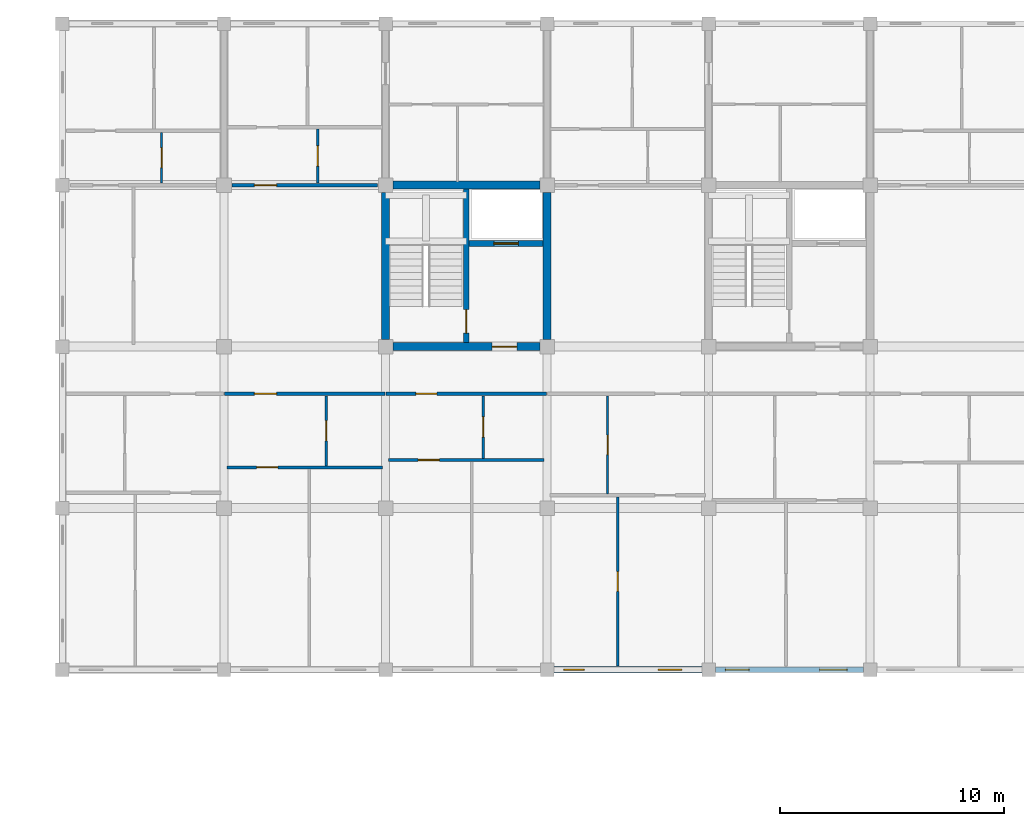
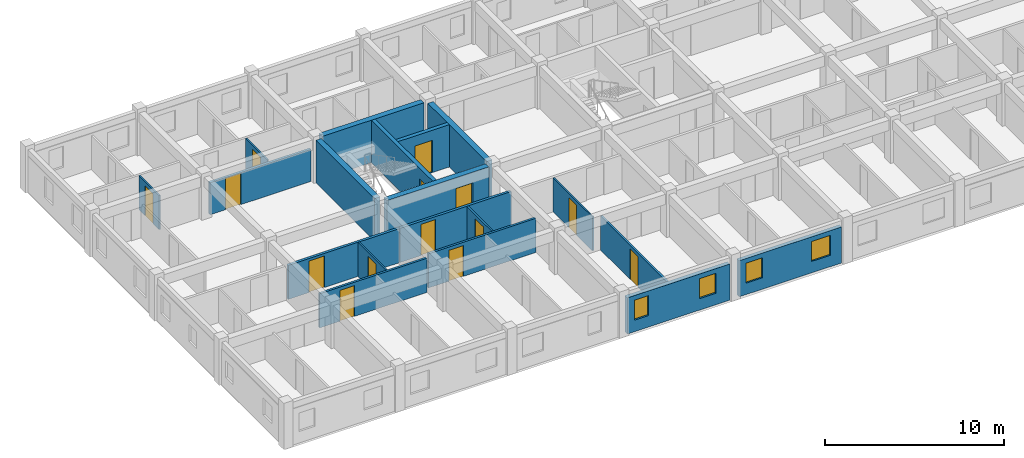
# One storey, part 35 of 50: 19 walls, 14 doors, 4 windows, 18 openings.
"""IFC4 building model written with IfcOpenShell, lengths in metres."""

from ifc_helpers import new_model, si_unit, direction, frame, frame_2d, origin, place, context, subcontext, project, spatial, rectangle, extrude, material, layer, layer_set, type_object, element, fill, save


model = new_model("IFC4")

# Units and contexts
model_context = context("Model", 3, precision=1e-05, world=origin(), true_north=direction((0.0, 1.0)))
body_context = subcontext(model_context, "Body", "Model", "MODEL_VIEW")
ifc_project = project(units=[si_unit("LENGTHUNIT", "METRE"), si_unit("AREAUNIT", "SQUARE_METRE"), si_unit("VOLUMEUNIT", "CUBIC_METRE"), si_unit("PLANEANGLEUNIT", "RADIAN"), si_unit("MASSUNIT", "GRAM", prefix="KILO"), si_unit("THERMODYNAMICTEMPERATUREUNIT", "KELVIN"), si_unit("POWERUNIT", "WATT")], contexts=[model_context])

# Site, building, storey
site_placement = place(None, origin())
site = spatial("IfcSite", under=ifc_project, at=site_placement, CompositionType="ELEMENT")
building_placement = place(site_placement, origin())
building = spatial("IfcBuilding", under=site, at=building_placement, Name="Tavuni Mirador Residences", CompositionType="ELEMENT")
storey_placement = place(building_placement, frame((0.0, 0.0, 4.5)))
storey = spatial("IfcBuildingStorey", under=building, at=storey_placement, Name="L01", CompositionType="ELEMENT", Elevation=4.5)

# Wall, opening, door
ifc_material_1 = material(Name="Precast concrete C40/50", Category="concrete")
ifc_layer_1 = layer(ifc_material_1, 0.25, Name="Precast concrete C40/50", Category="concrete")
ifc_layer_set_1 = layer_set([ifc_layer_1], Name="Precast concrete C40/50")
wall_type_1 = type_object("IfcWallType", Name="WT-COR250", PredefinedType="SHEAR", material=ifc_layer_set_1)
wall_1_placement = place(storey_placement, frame((28.800048828125, 158.580078125, 0.0), z_axis=(0.0, 0.0, 1.0), x_axis=(0.0, 1.0, 0.0)))
wall_1 = element("IfcWall", 1, at=wall_1_placement, inside=storey, type_object=wall_type_1, Name="CWALL-C5-L01-MID", PredefinedType="SHEAR", context=body_context, shape_type="SweptSolid", body=[
    extrude(rectangle(XDim=6.83984375, YDim=0.25, at=frame_2d((3.419921875, 0.0))), origin(), (0.0, 0.0, 1.0), 2.885009765625),
])
opening_1_placement = place(wall_1_placement, frame((0.419921875, 0.0, 0.0)))
opening_1 = element("IfcOpeningElement", 2, at=opening_1_placement, cuts=wall_1, Name="Opening D-01", PredefinedType="OPENING", context=body_context, shape_type="SweptSolid", body=[
    extrude(rectangle(XDim=1.050048828125, YDim=2.14990234375, at=frame_2d((0.52490234375, 1.074951171875))), frame((0.0, 0.135009765625, 0.0), z_axis=(0.0, -1.0, 0.0), x_axis=(1.0, 0.0, 0.0)), (0.0, 0.0, 1.0), 0.27001953125),
])
ifc_material_2 = material(Name="Solid core iroko timber", Category="wood")
door_type_1 = type_object("IfcDoorType", Name="DT-ST1050", OperationType="NOTDEFINED", PredefinedType="DOOR", material=ifc_material_2)
door_1_placement = place(opening_1_placement, origin())
door_1 = element("IfcDoor", 3, at=door_1_placement, inside=storey, type_object=door_type_1, Name="DR-2178", OperationType="SINGLE_SWING_RIGHT", OverallHeight=2.14990234375, OverallWidth=1.050048828125, PredefinedType="DOOR", context=body_context, shape_type="SweptSolid", body=[
    extrude(rectangle(XDim=1.050048828125, YDim=2.14990234375, at=frame_2d((0.52490234375, 1.074951171875))), frame((0.0, 0.02490234375, 0.0), z_axis=(0.0, -1.0, 0.0), x_axis=(1.0, 0.0, 0.0)), (0.0, 0.0, 1.0), 0.050048828125),
])
fill(opening_1, door_1)

wall_2_placement = place(storey_placement, frame((28.925048828125, 163.0, 0.0), z_axis=(0.0, 0.0, 1.0), x_axis=(1.0, 0.0, 0.0)))
wall_2 = element("IfcWall", 4, at=wall_2_placement, inside=storey, type_object=wall_type_1, Name="CWALL-C5-L01-SHF", PredefinedType="SHEAR", context=body_context, shape_type="SweptSolid", body=[
    extrude(rectangle(XDim=3.294921875, YDim=0.25, at=frame_2d((1.6474609375, 0.0))), origin(), (0.0, 0.0, 1.0), 2.885009765625),
])
opening_2_placement = place(wall_2_placement, frame((1.10009765625, 0.0, 0.0)))
opening_2 = element("IfcOpeningElement", 5, at=opening_2_placement, cuts=wall_2, Name="Opening LD-01", PredefinedType="OPENING", context=body_context, shape_type="SweptSolid", body=[
    extrude(rectangle(XDim=1.10009765625, YDim=2.199951171875, at=frame_2d((0.550048828125, 1.10009765625))), frame((0.0, 0.135009765625, 0.0), z_axis=(0.0, -1.0, 0.0), x_axis=(1.0, 0.0, 0.0)), (0.0, 0.0, 1.0), 0.27001953125),
])
ifc_material_3 = material(Name="Structural steel S355", Category="steel")
door_type_2 = type_object("IfcDoorType", Name="DT-LD-FF", OperationType="SLIDING_TO_LEFT", PredefinedType="DOOR", material=ifc_material_3)
door_2_placement = place(opening_2_placement, origin())
door_2 = element("IfcDoor", 6, at=door_2_placement, inside=storey, type_object=door_type_2, Name="Lift landing door FL-C1 L01", OperationType="SLIDING_TO_LEFT", OverallHeight=2.199951171875, OverallWidth=1.10009765625, PredefinedType="DOOR", context=body_context, shape_type="SweptSolid", body=[
    extrude(rectangle(XDim=1.10009765625, YDim=2.199951171875, at=frame_2d((0.550048828125, 1.10009765625))), frame((0.0, 0.02490234375, 0.0), z_axis=(0.0, -1.0, 0.0), x_axis=(1.0, 0.0, 0.0)), (0.0, 0.0, 1.0), 0.050048828125),
])
fill(opening_2, door_2)

# Walls
ifc_layer_2 = layer(ifc_material_1, 0.360107421875, Name="Precast concrete C40/50", Category="concrete")
ifc_layer_set_2 = layer_set([ifc_layer_2], Name="Precast concrete C40/50")
wall_type_2 = type_object("IfcWallType", Name="WT-COR360", PredefinedType="SHEAR", material=ifc_layer_set_2)
wall_3_placement = place(storey_placement, frame((25.199951171875, 158.72509765625, 0.0), z_axis=(0.0, 0.0, 1.0), x_axis=(0.0, 1.0, 0.0)))
element("IfcWall", 7, at=wall_3_placement, inside=storey, type_object=wall_type_2, Name="CWALL-C5-L01-W", PredefinedType="SHEAR", context=body_context, shape_type="SweptSolid", body=[
    extrude(rectangle(XDim=6.5498046875, YDim=0.360107421875, at=frame_2d((3.27490234375, 0.0))), origin(), (0.0, 0.0, 1.0), 2.885009765625),
])
wall_4_placement = place(storey_placement, frame((25.52490234375, 165.60009765625, 0.0), z_axis=(0.0, 0.0, 1.0), x_axis=(1.0, 0.0, 0.0)))
element("IfcWall", 8, at=wall_4_placement, inside=storey, type_object=wall_type_2, Name="CWALL-C5-L01-N", PredefinedType="SHEAR", context=body_context, shape_type="SweptSolid", body=[
    extrude(rectangle(XDim=6.550048828125, YDim=0.360107421875, at=frame_2d((3.27490234375, 0.0))), origin(), (0.0, 0.0, 1.0), 2.885009765625),
])
wall_5_placement = place(storey_placement, frame((32.39990234375, 158.72509765625, 0.0), z_axis=(0.0, 0.0, 1.0), x_axis=(0.0, 1.0, 0.0)))
element("IfcWall", 9, at=wall_5_placement, inside=storey, type_object=wall_type_2, Name="CWALL-C5-L01-E", PredefinedType="SHEAR", context=body_context, shape_type="SweptSolid", body=[
    extrude(rectangle(XDim=6.5498046875, YDim=0.360107421875, at=frame_2d((3.27490234375, 0.0))), origin(), (0.0, 0.0, 1.0), 2.885009765625),
])

# Wall, opening, door
wall_6_placement = place(storey_placement, frame((25.52490234375, 158.39990234375, 0.0), z_axis=(0.0, 0.0, 1.0), x_axis=(1.0, 0.0, 0.0)))
wall_6 = element("IfcWall", 10, at=wall_6_placement, inside=storey, type_object=wall_type_2, Name="CWALL-C5-L01-SS", PredefinedType="SHEAR", context=body_context, shape_type="SweptSolid", body=[
    extrude(rectangle(XDim=6.550048828125, YDim=0.360107421875, at=frame_2d((3.27490234375, 0.0))), origin(), (0.0, 0.0, 1.0), 2.885009765625),
])
opening_3_placement = place(wall_6_placement, frame((4.425048828125, 0.0, 0.0)))
opening_3 = element("IfcOpeningElement", 11, at=opening_3_placement, cuts=wall_6, Name="Opening D-02", PredefinedType="OPENING", context=body_context, shape_type="SweptSolid", body=[
    extrude(rectangle(XDim=1.10009765625, YDim=2.14990234375, at=frame_2d((0.550048828125, 1.074951171875))), frame((0.0, 0.18994140625, 0.0), z_axis=(0.0, -1.0, 0.0), x_axis=(1.0, 0.0, 0.0)), (0.0, 0.0, 1.0), 0.380126953125),
])
door_type_3 = type_object("IfcDoorType", Name="DT-LOB1100", OperationType="NOTDEFINED", PredefinedType="DOOR", material=ifc_material_2)
door_3_placement = place(opening_3_placement, frame((1.10009765625, 0.0, 0.0), z_axis=(0.0, 0.0, 1.0), x_axis=(-1.0, 0.0, 0.0)))
door_3 = element("IfcDoor", 12, at=door_3_placement, inside=storey, type_object=door_type_3, Name="DR-2177", OperationType="SINGLE_SWING_LEFT", OverallHeight=2.14990234375, OverallWidth=1.10009765625, PredefinedType="DOOR", context=body_context, shape_type="SweptSolid", body=[
    extrude(rectangle(XDim=1.10009765625, YDim=2.14990234375, at=frame_2d((0.550048828125, 1.074951171875))), frame((0.0, 0.02490234375, 0.0), z_axis=(0.0, -1.0, 0.0), x_axis=(1.0, 0.0, 0.0)), (0.0, 0.0, 1.0), 0.050048828125),
])
fill(opening_3, door_3)

ifc_layer_3 = layer(ifc_material_1, 0.1650390625, Name="Precast concrete C40/50", Category="concrete")
ifc_layer_set_3 = layer_set([ifc_layer_3], Name="Precast concrete C40/50")
wall_type_3 = type_object("IfcWallType", Name="WT-CORR165", PredefinedType="PARTITIONING", material=ifc_layer_set_3)
wall_7_placement = place(storey_placement, frame((18.02001953125, 156.300048828125, 0.0), z_axis=(0.0, 0.0, 1.0), x_axis=(1.0, 0.0, 0.0)))
wall_7 = element("IfcWall", 13, at=wall_7_placement, inside=storey, type_object=wall_type_3, Name="CORW-BLK-C-L01-0-01", PredefinedType="PARTITIONING", context=body_context, shape_type="SweptSolid", body=[
    extrude(rectangle(XDim=7.159912109375, YDim=0.1650390625, at=frame_2d((3.580078125, 0.0))), origin(), (0.0, 0.0, 1.0), 2.320068359375),
])
opening_4_placement = place(wall_7_placement, frame((1.330078125, 0.0, 0.0)))
opening_4 = element("IfcOpeningElement", 14, at=opening_4_placement, cuts=wall_7, Name="Opening D-03", PredefinedType="OPENING", context=body_context, shape_type="SweptSolid", body=[
    extrude(rectangle(XDim=1.0, YDim=2.14990234375, at=frame_2d((0.5, 1.074951171875))), frame((0.0, 0.092529296875, 0.0), z_axis=(0.0, -1.0, 0.0), x_axis=(1.0, 0.0, 0.0)), (0.0, 0.0, 1.0), 0.18505859375),
])
door_type_4 = type_object("IfcDoorType", Name="DT-FD60-1000", OperationType="NOTDEFINED", PredefinedType="DOOR", material=ifc_material_2)
door_4_placement = place(opening_4_placement, origin())
door_4 = element("IfcDoor", 15, at=door_4_placement, inside=storey, type_object=door_type_4, Name="DR-2628", OperationType="SINGLE_SWING_LEFT", OverallHeight=2.14990234375, OverallWidth=1.0, PredefinedType="DOOR", context=body_context, shape_type="SweptSolid", body=[
    extrude(rectangle(XDim=1.0, YDim=2.14990234375, at=frame_2d((0.5, 1.074951171875))), frame((0.0, 0.02490234375, 0.0), z_axis=(0.0, -1.0, 0.0), x_axis=(1.0, 0.0, 0.0)), (0.0, 0.0, 1.0), 0.050048828125),
])
fill(opening_4, door_4)

wall_8_placement = place(storey_placement, frame((25.219970703125, 156.300048828125, 0.0), z_axis=(0.0, 0.0, 1.0), x_axis=(1.0, 0.0, 0.0)))
wall_8 = element("IfcWall", 16, at=wall_8_placement, inside=storey, type_object=wall_type_3, Name="CORW-BLK-C-L01-0-02", PredefinedType="PARTITIONING", context=body_context, shape_type="SweptSolid", body=[
    extrude(rectangle(XDim=7.159912109375, YDim=0.1650390625, at=frame_2d((3.580078125, 0.0))), origin(), (0.0, 0.0, 1.0), 2.320068359375),
])
opening_5_placement = place(wall_8_placement, frame((1.330078125, 0.0, 0.0)))
opening_5 = element("IfcOpeningElement", 17, at=opening_5_placement, cuts=wall_8, Name="Opening D-19", PredefinedType="OPENING", context=body_context, shape_type="SweptSolid", body=[
    extrude(rectangle(XDim=0.93994140625, YDim=2.1201171875, at=frame_2d((0.469970703125, 1.06005859375))), frame((0.0, 0.092529296875, 0.0), z_axis=(0.0, -1.0, 0.0), x_axis=(1.0, 0.0, 0.0)), (0.0, 0.0, 1.0), 0.18505859375),
])
door_type_5 = type_object("IfcDoorType", Name="DT-FD60-940", OperationType="NOTDEFINED", PredefinedType="DOOR", material=ifc_material_2)
door_5_placement = place(opening_5_placement, origin())
door_5 = element("IfcDoor", 18, at=door_5_placement, inside=storey, type_object=door_type_5, Name="DR-2629", OperationType="SINGLE_SWING_RIGHT", OverallHeight=2.1201171875, OverallWidth=0.93994140625, PredefinedType="DOOR", context=body_context, shape_type="SweptSolid", body=[
    extrude(rectangle(XDim=0.93994140625, YDim=2.1201171875, at=frame_2d((0.469970703125, 1.06005859375))), frame((0.0, 0.02490234375, 0.0), z_axis=(0.0, -1.0, 0.0), x_axis=(1.0, 0.0, 0.0)), (0.0, 0.0, 1.0), 0.050048828125),
])
fill(opening_5, door_5)

wall_9_placement = place(storey_placement, frame((18.35009765625, 165.60009765625, 0.0), z_axis=(0.0, 0.0, 1.0), x_axis=(1.0, 0.0, 0.0)))
wall_9 = element("IfcWall", 19, at=wall_9_placement, inside=storey, type_object=wall_type_3, Name="CORW-BLK-C-L01-1-01", PredefinedType="PARTITIONING", context=body_context, shape_type="SweptSolid", body=[
    extrude(rectangle(XDim=6.5, YDim=0.1650390625, at=frame_2d((3.25, 0.0))), origin(), (0.0, 0.0, 1.0), 2.18505859375),
])
opening_6_placement = place(wall_9_placement, frame((1.0, 0.0, 0.0)))
opening_6 = element("IfcOpeningElement", 20, at=opening_6_placement, cuts=wall_9, Name="Opening D-03", PredefinedType="OPENING", context=body_context, shape_type="SweptSolid", body=[
    extrude(rectangle(XDim=1.0, YDim=2.14990234375, at=frame_2d((0.5, 1.074951171875))), frame((0.0, 0.092529296875, 0.0), z_axis=(0.0, -1.0, 0.0), x_axis=(1.0, 0.0, 0.0)), (0.0, 0.0, 1.0), 0.18505859375),
])
door_6_placement = place(opening_6_placement, origin())
door_6 = element("IfcDoor", 21, at=door_6_placement, inside=storey, type_object=door_type_4, Name="DR-2637", OperationType="SINGLE_SWING_RIGHT", OverallHeight=2.14990234375, OverallWidth=1.0, PredefinedType="DOOR", context=body_context, shape_type="SweptSolid", body=[
    extrude(rectangle(XDim=1.0, YDim=2.14990234375, at=frame_2d((0.5, 1.074951171875))), frame((0.0, 0.02490234375, 0.0), z_axis=(0.0, -1.0, 0.0), x_axis=(1.0, 0.0, 0.0)), (0.0, 0.0, 1.0), 0.050048828125),
])
fill(opening_6, door_6)

# Wall, openings, windows
ifc_material_4 = material(Name="Sgraffito lime-rendered precast concrete C40/50", Category="concrete")
ifc_layer_4 = layer(ifc_material_4, 0.2548828125, Name="Sgraffito lime-rendered precast concrete C40/50", Category="concrete")
ifc_layer_set_4 = layer_set([ifc_layer_4], Name="Sgraffito lime-rendered precast concrete C40/50")
wall_type_4 = type_object("IfcWallType", Name="WT-EXT-PC255", PredefinedType="SOLIDWALL", material=ifc_layer_set_4)
wall_10_placement = place(storey_placement, frame((39.89990234375, 144.0, 0.0), z_axis=(0.0, 0.0, 1.0), x_axis=(1.0, 0.0, 0.0)))
wall_10 = element("IfcWall", 22, at=wall_10_placement, inside=storey, type_object=wall_type_4, Name="EW-BLK-C-L01-S04", PredefinedType="SOLIDWALL", context=body_context, shape_type="SweptSolid", body=[
    extrude(rectangle(XDim=6.60009765625, YDim=0.2548828125, at=frame_2d((3.300048828125, 0.0))), origin(), (0.0, 0.0, 1.0), 2.455078125),
])
opening_7_placement = place(wall_10_placement, frame((0.449951171875, 0.0, 0.780029296875)))
opening_7 = element("IfcOpeningElement", 23, at=opening_7_placement, cuts=wall_10, Name="Opening WN-19", PredefinedType="OPENING", context=body_context, shape_type="SweptSolid", body=[
    extrude(rectangle(XDim=1.06005859375, YDim=1.360107421875, at=frame_2d((0.530029296875, 0.68017578125))), frame((0.0, 0.137451171875, 0.0), z_axis=(0.0, -1.0, 0.0), x_axis=(1.0, 0.0, 0.0)), (0.0, 0.0, 1.0), 0.27490234375),
])
opening_8_placement = place(wall_10_placement, frame((4.64990234375, 0.0, 0.780029296875)))
opening_8 = element("IfcOpeningElement", 24, at=opening_8_placement, cuts=wall_10, Name="Opening WN-21", PredefinedType="OPENING", context=body_context, shape_type="SweptSolid", body=[
    extrude(rectangle(XDim=1.219970703125, YDim=1.360107421875, at=frame_2d((0.60986328125, 0.68017578125))), frame((0.0, 0.137451171875, 0.0), z_axis=(0.0, -1.0, 0.0), x_axis=(1.0, 0.0, 0.0)), (0.0, 0.0, 1.0), 0.27490234375),
])
ifc_material_5 = material(Name="Laminated solar-control glass", Category="glass")
window_type_1 = type_object("IfcWindowType", Name="WNT-19", PartitioningType="SINGLE_PANEL", PredefinedType="WINDOW", material=ifc_material_5)
window_1_placement = place(opening_7_placement, origin())
window_1 = element("IfcWindow", 25, at=window_1_placement, inside=storey, type_object=window_type_1, Name="WIN-0857", OverallHeight=1.360107421875, OverallWidth=1.06005859375, PartitioningType="SINGLE_PANEL", PredefinedType="WINDOW", context=body_context, shape_type="SweptSolid", body=[
    extrude(rectangle(XDim=1.06005859375, YDim=1.360107421875, at=frame_2d((0.530029296875, 0.68017578125))), frame((0.0, 0.030029296875, 0.0), z_axis=(0.0, -1.0, 0.0), x_axis=(1.0, 0.0, 0.0)), (0.0, 0.0, 1.0), 0.06005859375),
])
fill(opening_7, window_1)
window_type_2 = type_object("IfcWindowType", Name="WNT-21", PartitioningType="SINGLE_PANEL", PredefinedType="WINDOW", material=ifc_material_5)
window_2_placement = place(opening_8_placement, origin())
window_2 = element("IfcWindow", 26, at=window_2_placement, inside=storey, type_object=window_type_2, Name="WIN-0858", OverallHeight=1.360107421875, OverallWidth=1.219970703125, PartitioningType="SINGLE_PANEL", PredefinedType="WINDOW", context=body_context, shape_type="SweptSolid", body=[
    extrude(rectangle(XDim=1.219970703125, YDim=1.360107421875, at=frame_2d((0.60986328125, 0.68017578125))), frame((0.0, 0.030029296875, 0.0), z_axis=(0.0, -1.0, 0.0), x_axis=(1.0, 0.0, 0.0)), (0.0, 0.0, 1.0), 0.06005859375),
])
fill(opening_8, window_2)

ifc_layer_5 = layer(ifc_material_4, 0.27490234375, Name="Sgraffito lime-rendered precast concrete C40/50", Category="concrete")
ifc_layer_set_5 = layer_set([ifc_layer_5], Name="Sgraffito lime-rendered precast concrete C40/50")
wall_type_5 = type_object("IfcWallType", Name="WT-EXT-PC275", PredefinedType="SOLIDWALL", material=ifc_layer_set_5)
wall_11_placement = place(storey_placement, frame((32.699951171875, 144.0, 0.0), z_axis=(0.0, 0.0, 1.0), x_axis=(1.0, 0.0, 0.0)))
wall_11 = element("IfcWall", 27, at=wall_11_placement, inside=storey, type_object=wall_type_5, Name="EW-BLK-C-L01-S03", PredefinedType="SOLIDWALL", context=body_context, shape_type="SweptSolid", body=[
    extrude(rectangle(XDim=6.60009765625, YDim=0.27490234375, at=frame_2d((3.300048828125, 0.0))), origin(), (0.0, 0.0, 1.0), 2.455078125),
])
opening_9_placement = place(wall_11_placement, frame((0.449951171875, 0.0, 0.780029296875)))
opening_9 = element("IfcOpeningElement", 28, at=opening_9_placement, cuts=wall_11, Name="Opening WN-17", PredefinedType="OPENING", context=body_context, shape_type="SweptSolid", body=[
    extrude(rectangle(XDim=0.89990234375, YDim=1.360107421875, at=frame_2d((0.449951171875, 0.68017578125))), frame((0.0, 0.1474609375, 0.0), z_axis=(0.0, -1.0, 0.0), x_axis=(1.0, 0.0, 0.0)), (0.0, 0.0, 1.0), 0.294921875),
])
opening_10_placement = place(wall_11_placement, frame((4.64990234375, 0.0, 0.780029296875)))
opening_10 = element("IfcOpeningElement", 29, at=opening_10_placement, cuts=wall_11, Name="Opening WN-19", PredefinedType="OPENING", context=body_context, shape_type="SweptSolid", body=[
    extrude(rectangle(XDim=1.06005859375, YDim=1.360107421875, at=frame_2d((0.530029296875, 0.68017578125))), frame((0.0, 0.1474609375, 0.0), z_axis=(0.0, -1.0, 0.0), x_axis=(1.0, 0.0, 0.0)), (0.0, 0.0, 1.0), 0.294921875),
])
window_type_3 = type_object("IfcWindowType", Name="WNT-17", PartitioningType="SINGLE_PANEL", PredefinedType="WINDOW", material=ifc_material_5)
window_3_placement = place(opening_9_placement, origin())
window_3 = element("IfcWindow", 30, at=window_3_placement, inside=storey, type_object=window_type_3, Name="WIN-0855", OverallHeight=1.360107421875, OverallWidth=0.89990234375, PartitioningType="SINGLE_PANEL", PredefinedType="WINDOW", context=body_context, shape_type="SweptSolid", body=[
    extrude(rectangle(XDim=0.89990234375, YDim=1.360107421875, at=frame_2d((0.449951171875, 0.68017578125))), frame((0.0, 0.030029296875, 0.0), z_axis=(0.0, -1.0, 0.0), x_axis=(1.0, 0.0, 0.0)), (0.0, 0.0, 1.0), 0.06005859375),
])
fill(opening_9, window_3)
window_4_placement = place(opening_10_placement, origin())
window_4 = element("IfcWindow", 31, at=window_4_placement, inside=storey, type_object=window_type_1, Name="WIN-0856", OverallHeight=1.360107421875, OverallWidth=1.06005859375, PartitioningType="SINGLE_PANEL", PredefinedType="WINDOW", context=body_context, shape_type="SweptSolid", body=[
    extrude(rectangle(XDim=1.06005859375, YDim=1.360107421875, at=frame_2d((0.530029296875, 0.68017578125))), frame((0.0, 0.030029296875, 0.0), z_axis=(0.0, -1.0, 0.0), x_axis=(1.0, 0.0, 0.0)), (0.0, 0.0, 1.0), 0.06005859375),
])
fill(opening_10, window_4)

# Wall, opening, door
ifc_material_6 = material(Name="Acoustic gypsum and concrete block partition", Category="concrete")
ifc_layer_6 = layer(ifc_material_6, 0.094970703125, Name="Acoustic gypsum and concrete block partition", Category="concrete")
ifc_layer_set_6 = layer_set([ifc_layer_6], Name="Acoustic gypsum and concrete block partition")
wall_type_6 = type_object("IfcWallType", Name="WT-PART095", PredefinedType="PARTITIONING", material=ifc_layer_set_6)
wall_12_placement = place(storey_placement, frame((15.219970703125, 165.68994140625, 0.0), z_axis=(0.0, 0.0, 1.0), x_axis=(0.0, 1.0, 0.0)))
wall_12 = element("IfcWall", 32, at=wall_12_placement, inside=storey, type_object=wall_type_6, Name="PW-BLK-C-L01-N00-IN1", PredefinedType="PARTITIONING", context=body_context, shape_type="SweptSolid", body=[
    extrude(rectangle(XDim=2.260009765625, YDim=0.094970703125, at=frame_2d((1.1298828125, 0.0))), origin(), (0.0, 0.0, 1.0), 2.320068359375),
])
opening_11_placement = place(wall_12_placement, frame((0.695068359375, 0.0, 0.0)))
opening_11 = element("IfcOpeningElement", 33, at=opening_11_placement, cuts=wall_12, Name="Opening D-10", PredefinedType="OPENING", context=body_context, shape_type="SweptSolid", body=[
    extrude(rectangle(XDim=0.8701171875, YDim=2.050048828125, at=frame_2d((0.43505859375, 1.02490234375))), frame((0.0, 0.0576171875, 0.0), z_axis=(0.0, -1.0, 0.0), x_axis=(1.0, 0.0, 0.0)), (0.0, 0.0, 1.0), 0.114990234375),
])
door_type_6 = type_object("IfcDoorType", Name="DT-WC870", OperationType="NOTDEFINED", PredefinedType="DOOR", material=ifc_material_2)
door_7_placement = place(opening_11_placement, origin())
door_7 = element("IfcDoor", 34, at=door_7_placement, inside=storey, type_object=door_type_6, Name="DR-3689", OperationType="SINGLE_SWING_RIGHT", OverallHeight=2.050048828125, OverallWidth=0.8701171875, PredefinedType="DOOR", context=body_context, shape_type="SweptSolid", body=[
    extrude(rectangle(XDim=0.8701171875, YDim=2.050048828125, at=frame_2d((0.43505859375, 1.02490234375))), frame((0.0, 0.02490234375, 0.0), z_axis=(0.0, -1.0, 0.0), x_axis=(1.0, 0.0, 0.0)), (0.0, 0.0, 1.0), 0.050048828125),
])
fill(opening_11, door_7)

wall_13_placement = place(storey_placement, frame((22.179931640625, 165.68994140625, 0.0), z_axis=(0.0, 0.0, 1.0), x_axis=(0.0, 1.0, 0.0)))
wall_13 = element("IfcWall", 35, at=wall_13_placement, inside=storey, type_object=wall_type_6, Name="PW-BLK-C-L01-N01-IN1", PredefinedType="PARTITIONING", context=body_context, shape_type="SweptSolid", body=[
    extrude(rectangle(XDim=2.420166015625, YDim=0.094970703125, at=frame_2d((1.2099609375, 0.0))), origin(), (0.0, 0.0, 1.0), 2.320068359375),
])
opening_12_placement = place(wall_13_placement, frame((0.760009765625, 0.0, 0.0)))
opening_12 = element("IfcOpeningElement", 36, at=opening_12_placement, cuts=wall_13, Name="Opening D-09", PredefinedType="OPENING", context=body_context, shape_type="SweptSolid", body=[
    extrude(rectangle(XDim=0.89990234375, YDim=2.050048828125, at=frame_2d((0.449951171875, 1.02490234375))), frame((0.0, 0.0576171875, 0.0), z_axis=(0.0, -1.0, 0.0), x_axis=(1.0, 0.0, 0.0)), (0.0, 0.0, 1.0), 0.114990234375),
])
door_type_7 = type_object("IfcDoorType", Name="DT-WC900", OperationType="NOTDEFINED", PredefinedType="DOOR", material=ifc_material_2)
door_8_placement = place(opening_12_placement, origin())
door_8 = element("IfcDoor", 37, at=door_8_placement, inside=storey, type_object=door_type_7, Name="DR-3695", OperationType="SINGLE_SWING_LEFT", OverallHeight=2.050048828125, OverallWidth=0.89990234375, PredefinedType="DOOR", context=body_context, shape_type="SweptSolid", body=[
    extrude(rectangle(XDim=0.89990234375, YDim=2.050048828125, at=frame_2d((0.449951171875, 1.02490234375))), frame((0.0, 0.02490234375, 0.0), z_axis=(0.0, -1.0, 0.0), x_axis=(1.0, 0.0, 0.0)), (0.0, 0.0, 1.0), 0.050048828125),
])
fill(opening_12, door_8)

wall_14_placement = place(storey_placement, frame((35.10009765625, 151.840087890625, 0.0), z_axis=(0.0, 0.0, 1.0), x_axis=(0.0, 1.0, 0.0)))
wall_14 = element("IfcWall", 38, at=wall_14_placement, inside=storey, type_object=wall_type_6, Name="PW-BLK-C-L01-S03-IN1", PredefinedType="PARTITIONING", context=body_context, shape_type="SweptSolid", body=[
    extrude(rectangle(XDim=4.369873046875, YDim=0.094970703125, at=frame_2d((2.18505859375, 0.0))), origin(), (0.0, 0.0, 1.0), 2.320068359375),
])
opening_13_placement = place(wall_14_placement, frame((1.75, 0.0, 0.0)))
opening_13 = element("IfcOpeningElement", 39, at=opening_13_placement, cuts=wall_14, Name="Opening D-10", PredefinedType="OPENING", context=body_context, shape_type="SweptSolid", body=[
    extrude(rectangle(XDim=0.8701171875, YDim=2.050048828125, at=frame_2d((0.43505859375, 1.02490234375))), frame((0.0, 0.0576171875, 0.0), z_axis=(0.0, -1.0, 0.0), x_axis=(1.0, 0.0, 0.0)), (0.0, 0.0, 1.0), 0.114990234375),
])
door_9_placement = place(opening_13_placement, origin())
door_9 = element("IfcDoor", 40, at=door_9_placement, inside=storey, type_object=door_type_6, Name="DR-3703", OperationType="SINGLE_SWING_RIGHT", OverallHeight=2.050048828125, OverallWidth=0.8701171875, PredefinedType="DOOR", context=body_context, shape_type="SweptSolid", body=[
    extrude(rectangle(XDim=0.8701171875, YDim=2.050048828125, at=frame_2d((0.43505859375, 1.02490234375))), frame((0.0, 0.02490234375, 0.0), z_axis=(0.0, -1.0, 0.0), x_axis=(1.0, 0.0, 0.0)), (0.0, 0.0, 1.0), 0.050048828125),
])
fill(opening_13, door_9)

ifc_layer_7 = layer(ifc_material_6, 0.10498046875, Name="Acoustic gypsum and concrete block partition", Category="concrete")
ifc_layer_set_7 = layer_set([ifc_layer_7], Name="Acoustic gypsum and concrete block partition")
wall_type_7 = type_object("IfcWallType", Name="WT-PART105", PredefinedType="PARTITIONING", material=ifc_layer_set_7)
wall_15_placement = place(storey_placement, frame((22.550048828125, 153.090087890625, 0.0), z_axis=(0.0, 0.0, 1.0), x_axis=(0.0, 1.0, 0.0)))
wall_15 = element("IfcWall", 41, at=wall_15_placement, inside=storey, type_object=wall_type_7, Name="PW-BLK-C-L01-S01-IN1", PredefinedType="PARTITIONING", context=body_context, shape_type="SweptSolid", body=[
    extrude(rectangle(XDim=3.119873046875, YDim=0.10498046875, at=frame_2d((1.56005859375, 0.0))), origin(), (0.0, 0.0, 1.0), 2.320068359375),
])
opening_14_placement = place(wall_15_placement, frame((1.110107421875, 0.0, 0.0)))
opening_14 = element("IfcOpeningElement", 42, at=opening_14_placement, cuts=wall_15, Name="Opening D-09", PredefinedType="OPENING", context=body_context, shape_type="SweptSolid", body=[
    extrude(rectangle(XDim=0.89990234375, YDim=2.050048828125, at=frame_2d((0.449951171875, 1.02490234375))), frame((0.0, 0.0625, 0.0), z_axis=(0.0, -1.0, 0.0), x_axis=(1.0, 0.0, 0.0)), (0.0, 0.0, 1.0), 0.125),
])
door_10_placement = place(opening_14_placement, origin())
door_10 = element("IfcDoor", 43, at=door_10_placement, inside=storey, type_object=door_type_7, Name="DR-3692", OperationType="SINGLE_SWING_LEFT", OverallHeight=2.050048828125, OverallWidth=0.89990234375, PredefinedType="DOOR", context=body_context, shape_type="SweptSolid", body=[
    extrude(rectangle(XDim=0.89990234375, YDim=2.050048828125, at=frame_2d((0.449951171875, 1.02490234375))), frame((0.0, 0.02490234375, 0.0), z_axis=(0.0, -1.0, 0.0), x_axis=(1.0, 0.0, 0.0)), (0.0, 0.0, 1.0), 0.050048828125),
])
fill(opening_14, door_10)

wall_16_placement = place(storey_placement, frame((29.550048828125, 153.419921875, 0.0), z_axis=(0.0, 0.0, 1.0), x_axis=(0.0, 1.0, 0.0)))
wall_16 = element("IfcWall", 44, at=wall_16_placement, inside=storey, type_object=wall_type_7, Name="PW-BLK-C-L01-S02-IN1", PredefinedType="PARTITIONING", context=body_context, shape_type="SweptSolid", body=[
    extrude(rectangle(XDim=2.7900390625, YDim=0.10498046875, at=frame_2d((1.39501953125, 0.0))), origin(), (0.0, 0.0, 1.0), 2.320068359375),
])
opening_15_placement = place(wall_16_placement, frame((0.945068359375, 0.0, 0.0)))
opening_15 = element("IfcOpeningElement", 45, at=opening_15_placement, cuts=wall_16, Name="Opening D-09", PredefinedType="OPENING", context=body_context, shape_type="SweptSolid", body=[
    extrude(rectangle(XDim=0.89990234375, YDim=2.050048828125, at=frame_2d((0.449951171875, 1.02490234375))), frame((0.0, 0.0625, 0.0), z_axis=(0.0, -1.0, 0.0), x_axis=(1.0, 0.0, 0.0)), (0.0, 0.0, 1.0), 0.125),
])
door_11_placement = place(opening_15_placement, origin())
door_11 = element("IfcDoor", 46, at=door_11_placement, inside=storey, type_object=door_type_7, Name="DR-3698", OperationType="SINGLE_SWING_LEFT", OverallHeight=2.050048828125, OverallWidth=0.89990234375, PredefinedType="DOOR", context=body_context, shape_type="SweptSolid", body=[
    extrude(rectangle(XDim=0.89990234375, YDim=2.050048828125, at=frame_2d((0.449951171875, 1.02490234375))), frame((0.0, 0.02490234375, 0.0), z_axis=(0.0, -1.0, 0.0), x_axis=(1.0, 0.0, 0.0)), (0.0, 0.0, 1.0), 0.050048828125),
])
fill(opening_15, door_11)

ifc_layer_8 = layer(ifc_material_6, 0.125, Name="Acoustic gypsum and concrete block partition", Category="concrete")
ifc_layer_set_8 = layer_set([ifc_layer_8], Name="Acoustic gypsum and concrete block partition")
wall_type_8 = type_object("IfcWallType", Name="WT-PART125", PredefinedType="PARTITIONING", material=ifc_layer_set_8)
wall_17_placement = place(storey_placement, frame((35.550048828125, 144.175048828125, 0.0), z_axis=(0.0, 0.0, 1.0), x_axis=(0.0, 1.0, 0.0)))
wall_17 = element("IfcWall", 47, at=wall_17_placement, inside=storey, type_object=wall_type_8, Name="PW-BLK-C-L01-S03-OUT", PredefinedType="PARTITIONING", context=body_context, shape_type="SweptSolid", body=[
    extrude(rectangle(XDim=7.52490234375, YDim=0.125, at=frame_2d((3.762451171875, 0.0))), origin(), (0.0, 0.0, 1.0), 2.320068359375),
])
opening_16_placement = place(wall_17_placement, frame((3.322509765625, 0.0, 0.0)))
opening_16 = element("IfcOpeningElement", 48, at=opening_16_placement, cuts=wall_17, Name="Opening D-08", PredefinedType="OPENING", context=body_context, shape_type="SweptSolid", body=[
    extrude(rectangle(XDim=0.8798828125, YDim=2.080078125, at=frame_2d((0.43994140625, 1.0400390625))), frame((0.0, 0.072509765625, 0.0), z_axis=(0.0, -1.0, 0.0), x_axis=(1.0, 0.0, 0.0)), (0.0, 0.0, 1.0), 0.14501953125),
])
door_type_8 = type_object("IfcDoorType", Name="DT-BED880", OperationType="NOTDEFINED", PredefinedType="DOOR", material=ifc_material_2)
door_12_placement = place(opening_16_placement, origin())
door_12 = element("IfcDoor", 49, at=door_12_placement, inside=storey, type_object=door_type_8, Name="DR-3702", OperationType="SINGLE_SWING_LEFT", OverallHeight=2.080078125, OverallWidth=0.8798828125, PredefinedType="DOOR", context=body_context, shape_type="SweptSolid", body=[
    extrude(rectangle(XDim=0.8798828125, YDim=2.080078125, at=frame_2d((0.43994140625, 1.0400390625))), frame((0.0, 0.02490234375, 0.0), z_axis=(0.0, -1.0, 0.0), x_axis=(1.0, 0.0, 0.0)), (0.0, 0.0, 1.0), 0.050048828125),
])
fill(opening_16, door_12)

ifc_layer_9 = layer(ifc_material_6, 0.139892578125, Name="Acoustic gypsum and concrete block partition", Category="concrete")
ifc_layer_set_9 = layer_set([ifc_layer_9], Name="Acoustic gypsum and concrete block partition")
wall_type_9 = type_object("IfcWallType", Name="WT-PART140", PredefinedType="PARTITIONING", material=ifc_layer_set_9)
wall_18_placement = place(storey_placement, frame((18.139892578125, 153.02001953125, 0.0), z_axis=(0.0, 0.0, 1.0), x_axis=(1.0, 0.0, 0.0)))
wall_18 = element("IfcWall", 50, at=wall_18_placement, inside=storey, type_object=wall_type_9, Name="PW-BLK-C-L01-S01-MID", PredefinedType="PARTITIONING", context=body_context, shape_type="SweptSolid", body=[
    extrude(rectangle(XDim=6.920166015625, YDim=0.139892578125, at=frame_2d((3.4599609375, 0.0))), origin(), (0.0, 0.0, 1.0), 2.320068359375),
])
opening_17_placement = place(wall_18_placement, frame((1.31005859375, 0.0, 0.0)))
opening_17 = element("IfcOpeningElement", 51, at=opening_17_placement, cuts=wall_18, Name="Opening D-05", PredefinedType="OPENING", context=body_context, shape_type="SweptSolid", body=[
    extrude(rectangle(XDim=0.949951171875, YDim=2.10009765625, at=frame_2d((0.47509765625, 1.050048828125))), frame((0.0, 0.080078125, 0.0), z_axis=(0.0, -1.0, 0.0), x_axis=(1.0, 0.0, 0.0)), (0.0, 0.0, 1.0), 0.159912109375),
])
door_type_9 = type_object("IfcDoorType", Name="DT-INT950", OperationType="NOTDEFINED", PredefinedType="DOOR", material=ifc_material_2)
door_13_placement = place(opening_17_placement, origin())
door_13 = element("IfcDoor", 52, at=door_13_placement, inside=storey, type_object=door_type_9, Name="DR-3693", OperationType="SINGLE_SWING_LEFT", OverallHeight=2.10009765625, OverallWidth=0.949951171875, PredefinedType="DOOR", context=body_context, shape_type="SweptSolid", body=[
    extrude(rectangle(XDim=0.949951171875, YDim=2.10009765625, at=frame_2d((0.47509765625, 1.050048828125))), frame((0.0, 0.02490234375, 0.0), z_axis=(0.0, -1.0, 0.0), x_axis=(1.0, 0.0, 0.0)), (0.0, 0.0, 1.0), 0.050048828125),
])
fill(opening_17, door_13)

wall_19_placement = place(storey_placement, frame((25.340087890625, 153.35009765625, 0.0), z_axis=(0.0, 0.0, 1.0), x_axis=(1.0, 0.0, 0.0)))
wall_19 = element("IfcWall", 53, at=wall_19_placement, inside=storey, type_object=wall_type_9, Name="PW-BLK-C-L01-S02-MID", PredefinedType="PARTITIONING", context=body_context, shape_type="SweptSolid", body=[
    extrude(rectangle(XDim=6.919921875, YDim=0.139892578125, at=frame_2d((3.4599609375, 0.0))), origin(), (0.0, 0.0, 1.0), 2.320068359375),
])
opening_18_placement = place(wall_19_placement, frame((1.31005859375, 0.0, 0.0)))
opening_18 = element("IfcOpeningElement", 54, at=opening_18_placement, cuts=wall_19, Name="Opening D-05", PredefinedType="OPENING", context=body_context, shape_type="SweptSolid", body=[
    extrude(rectangle(XDim=0.949951171875, YDim=2.10009765625, at=frame_2d((0.47509765625, 1.050048828125))), frame((0.0, 0.080078125, 0.0), z_axis=(0.0, -1.0, 0.0), x_axis=(1.0, 0.0, 0.0)), (0.0, 0.0, 1.0), 0.159912109375),
])
door_14_placement = place(opening_18_placement, origin())
door_14 = element("IfcDoor", 55, at=door_14_placement, inside=storey, type_object=door_type_9, Name="DR-3699", OperationType="SINGLE_SWING_LEFT", OverallHeight=2.10009765625, OverallWidth=0.949951171875, PredefinedType="DOOR", context=body_context, shape_type="SweptSolid", body=[
    extrude(rectangle(XDim=0.949951171875, YDim=2.10009765625, at=frame_2d((0.47509765625, 1.050048828125))), frame((0.0, 0.02490234375, 0.0), z_axis=(0.0, -1.0, 0.0), x_axis=(1.0, 0.0, 0.0)), (0.0, 0.0, 1.0), 0.050048828125),
])
fill(opening_18, door_14)

save(model, "model.ifc")
